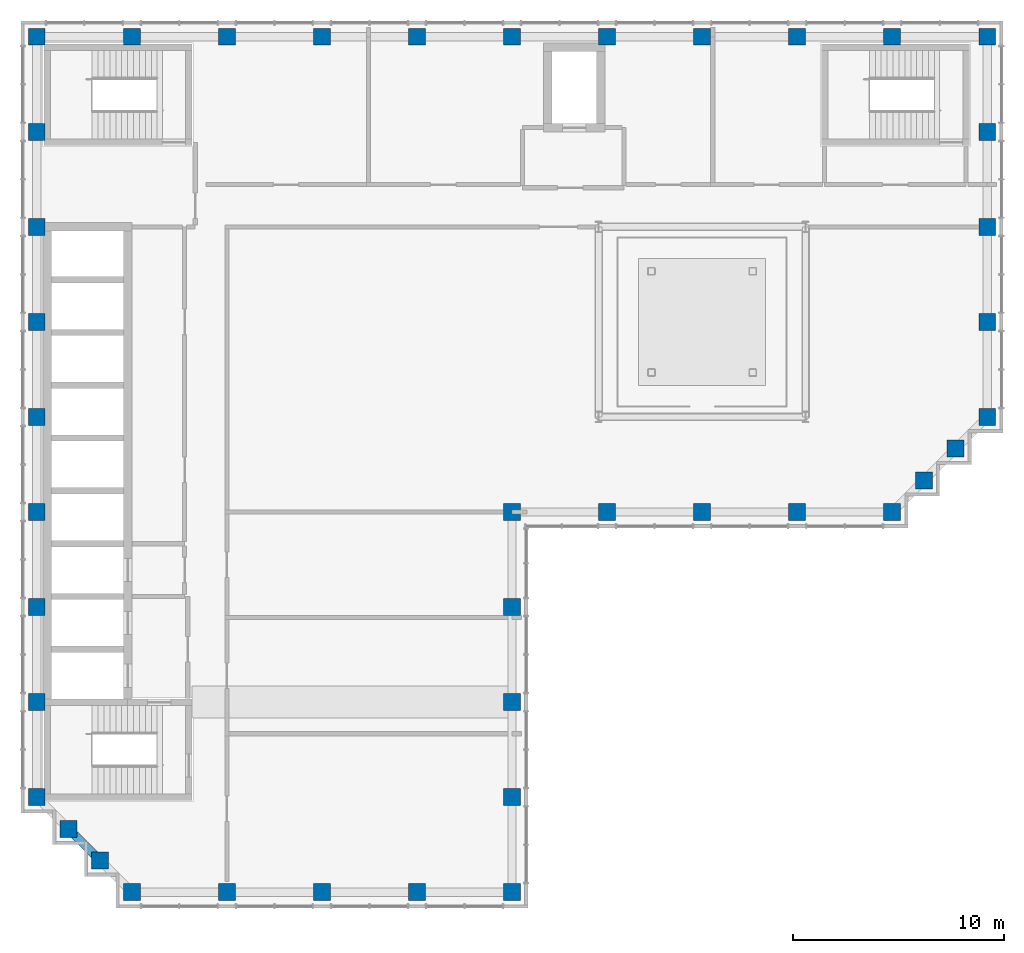
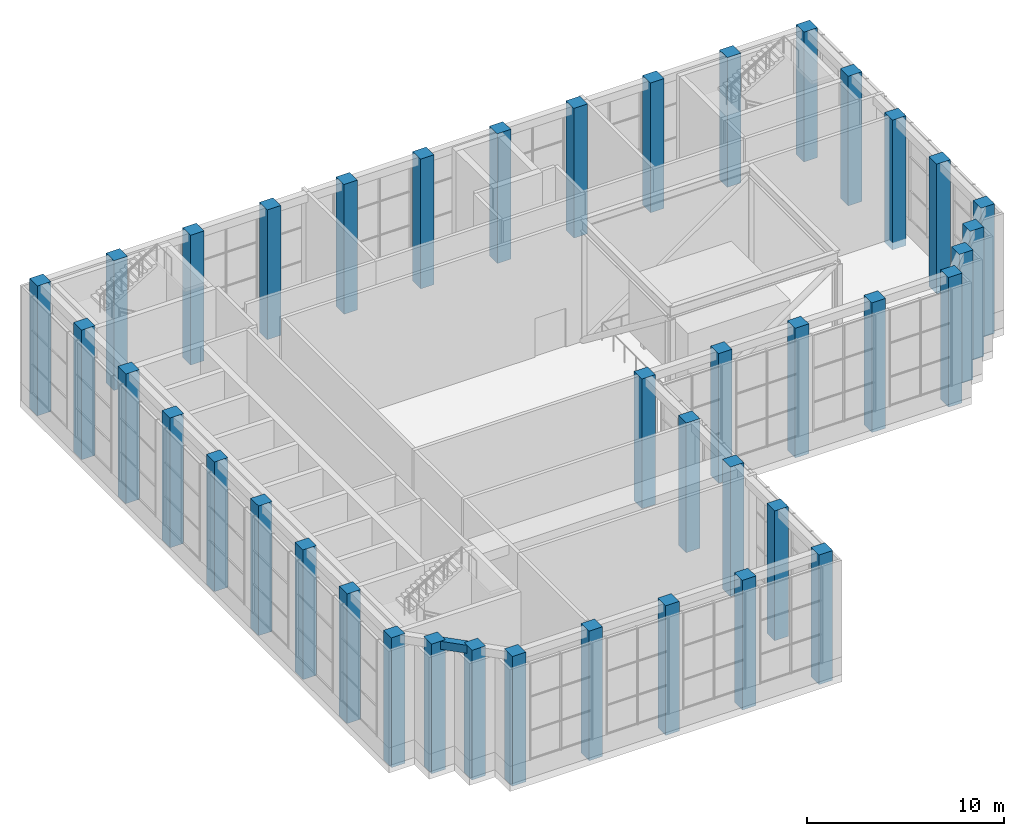
# One storey, part 1 of 17: 40 columns, 1 beam.
"""IFC4 building model written with IfcOpenShell, lengths in metres."""

from ifc_helpers import new_model, si_unit, direction, frame, origin, origin_2d, place, context, subcontext, project, spatial, rectangle, extrude, material, material_profile, profile_set, type_object, element, save


model = new_model("IFC4")

# Units and contexts
model_context = context("Model", 3, precision=1e-05, world=origin(), true_north=direction((0.0, 1.0)))
body_context = subcontext(model_context, "Body", "Model", "MODEL_VIEW")
ifc_project = project(units=[si_unit("LENGTHUNIT", "METRE"), si_unit("AREAUNIT", "SQUARE_METRE"), si_unit("VOLUMEUNIT", "CUBIC_METRE"), si_unit("PLANEANGLEUNIT", "RADIAN"), si_unit("MASSUNIT", "GRAM", prefix="KILO")], contexts=[model_context])

# Site, building, storey
site_placement = place(None, origin())
site = spatial("IfcSite", under=ifc_project, at=site_placement, CompositionType="ELEMENT")
building_placement = place(site_placement, origin())
building = spatial("IfcBuilding", under=site, at=building_placement, Name="Firuza Court", CompositionType="ELEMENT")
storey_placement = place(building_placement, frame((0.0, 0.0, 258.199951171875)))
storey = spatial("IfcBuildingStorey", under=building, at=storey_placement, Name="L67", CompositionType="ELEMENT", Elevation=258.199951171875)

# Columns
ifc_material_1 = material(Name="Concrete C50/60", Category="concrete")
ifc_material_profile_1 = material_profile(ifc_material_1, rectangle(XDim=0.800048828125, YDim=0.800048828125, at=origin_2d()), Name="RC 800x800")
ifc_profile_set_1 = profile_set([ifc_material_profile_1], Name="Concrete C50/60")
column_type = type_object("IfcColumnType", Name="Tube column RC 800x800 C50/60", PredefinedType="COLUMN", material=ifc_profile_set_1)
for number, where, z_axis, x_axis, name in (
    (1, (4.5, 18.0, -0.449951171875), (0.0, 0.0, 1.0), (1.0, 0.0, 0.0), "Column C-2H L67"),
    (2, (9.0, 18.0, -0.449951171875), (0.0, 0.0, 1.0), (1.0, 0.0, 0.0), "Column C-3H L67"),
    (3, (13.5, 18.0, -0.449951171875), (0.0, 0.0, 1.0), (1.0, 0.0, 0.0), "Column C-4H L67"),
    (4, (18.0, 18.0, -0.449951171875), (0.0, 0.0, 1.0), (1.0, 0.0, 0.0), "Column C-5H L67"),
    (5, (22.5, 18.0, -0.449951171875), (0.0, 0.0, 1.0), (1.0, 0.0, 0.0), "Column C-6H L67"),
    (6, (3.0, 19.5, -0.449951171875), (0.0, 0.0, 1.0), (1.0, 0.0, 0.0), "Column C-SA1 L67"),
    (7, (1.5, 21.0, -0.449951171875), (0.0, 0.0, 1.0), (1.0, 0.0, 0.0), "Column C-SA2 L67"),
    (8, (0.0, 22.5, -0.449951171875), (0.0, 0.0, 1.0), (1.0, 0.0, 0.0), "Column C-1J L67"),
    (9, (22.5, 22.5, -0.449951171875), (0.0, 0.0, 1.0), (1.0, 0.0, 0.0), "Column C-6J L67"),
    (10, (0.0, 27.0, -0.449951171875), (0.0, 0.0, 1.0), (1.0, 0.0, 0.0), "Column C-1K L67"),
    (11, (22.5, 27.0, -0.449951171875), (0.0, 0.0, 1.0), (1.0, 0.0, 0.0), "Column C-6K L67"),
    (12, (0.0, 31.5, -0.449951171875), (0.0, 0.0, 1.0), (1.0, 0.0, 0.0), "Column C-1L L67"),
    (13, (22.5, 31.5, -0.449951171875), (0.0, 0.0, 1.0), (1.0, 0.0, 0.0), "Column C-6L L67"),
    (14, (0.0, 36.0, -0.449951171875), (0.0, 0.0, 1.0), (1.0, 0.0, 0.0), "Column C-1M L67"),
    (15, (22.5, 36.0, -0.449951171875), (0.0, 0.0, 1.0), (1.0, 0.0, 0.0), "Column C-6M L67"),
    (16, (27.0, 36.0, -0.449951171875), (0.0, 0.0, 1.0), (1.0, 0.0, 0.0), "Column C-7M L67"),
    (17, (31.5, 36.0, -0.449951171875), (0.0, 0.0, 1.0), (1.0, 0.0, 0.0), "Column C-8M L67"),
    (18, (36.0, 36.0, -0.449951171875), (0.0, 0.0, 1.0), (1.0, 0.0, 0.0), "Column C-9M L67"),
    (19, (40.5, 36.0, -0.449951171875), (0.0, 0.0, 1.0), (1.0, 0.0, 0.0), "Column C-10M L67"),
    (20, (42.0, 37.5, -0.449951171875), (0.0, 0.0, 1.0), (1.0, 0.0, 0.0), "Column C-SA3 L67"),
    (21, (43.5, 39.0, -0.449951171875), (0.0, 0.0, 1.0), (1.0, 0.0, 0.0), "Column C-SA4 L67"),
    (22, (0.0, 40.5, -0.449951171875), (0.0, 0.0, 1.0), (1.0, 0.0, 0.0), "Column C-1N L67"),
    (23, (45.0, 40.5, -0.449951171875), (0.0, 0.0, 1.0), (1.0, 0.0, 0.0), "Column C-11N L67"),
    (24, (0.0, 45.0, -0.449951171875), (0.0, 0.0, 1.0), (1.0, 0.0, 0.0), "Column C-1P L67"),
    (25, (45.0, 45.0, -0.449951171875), (0.0, 0.0, 1.0), (1.0, 0.0, 0.0), "Column C-11P L67"),
    (26, (0.0, 49.5, -0.449951171875), (0.0, 0.0, 1.0), (1.0, 0.0, 0.0), "Column C-1Q L67"),
    (27, (45.0, 49.5, -0.449951171875), (0.0, 0.0, 1.0), (1.0, 0.0, 0.0), "Column C-11Q L67"),
    (28, (0.0, 54.0, -0.449951171875), (0.0, 0.0, 1.0), (1.0, 0.0, 0.0), "Column C-1R L67"),
    (29, (45.0, 54.0, -0.449951171875), (0.0, 0.0, 1.0), (1.0, 0.0, 0.0), "Column C-11R L67"),
    (30, (0.0, 58.5, -0.449951171875), (0.0, 0.0, 1.0), (1.0, 0.0, 0.0), "Column C-1S L67"),
    (31, (4.5, 58.5, -0.449951171875), (0.0, 0.0, 1.0), (1.0, 0.0, 0.0), "Column C-2S L67"),
    (32, (9.0, 58.5, -0.449951171875), (0.0, 0.0, 1.0), (1.0, 0.0, 0.0), "Column C-3S L67"),
    (33, (13.5, 58.5, -0.449951171875), (0.0, 0.0, 1.0), (1.0, 0.0, 0.0), "Column C-4S L67"),
    (34, (18.0, 58.5, -0.449951171875), (0.0, 0.0, 1.0), (1.0, 0.0, 0.0), "Column C-5S L67"),
    (35, (22.5, 58.5, -0.449951171875), (0.0, 0.0, 1.0), (1.0, 0.0, 0.0), "Column C-6S L67"),
    (36, (27.0, 58.5, -0.449951171875), (0.0, 0.0, 1.0), (1.0, 0.0, 0.0), "Column C-7S L67"),
    (37, (31.5, 58.5, -0.449951171875), (0.0, 0.0, 1.0), (1.0, 0.0, 0.0), "Column C-8S L67"),
    (38, (36.0, 58.5, -0.449951171875), (0.0, 0.0, 1.0), (1.0, 0.0, 0.0), "Column C-9S L67"),
    (39, (40.5, 58.5, -0.449951171875), (0.0, 0.0, 1.0), (1.0, 0.0, 0.0), "Column C-10S L67"),
    (40, (45.0, 58.5, -0.449951171875), (0.0, 0.0, 1.0), (1.0, 0.0, 0.0), "Column C-11S L67"),
):
    element("IfcColumn", number, at=place(storey_placement, frame(where, z_axis=z_axis, x_axis=x_axis)), inside=storey, type_object=column_type, Name=name, PredefinedType="COLUMN", context=body_context, shape_type="SweptSolid", body=[
        extrude(rectangle(XDim=0.800048828125, YDim=0.800048828125, at=origin_2d()), origin(), (0.0, 0.0, 1.0), 8.050048828125),
    ])

# Beam
ifc_material_2 = material(Name="Concrete C40/50", Category="concrete")
ifc_material_profile_2 = material_profile(ifc_material_2, rectangle(XDim=0.39990234375, YDim=0.5, at=origin_2d()), Name="RC 400x500")
ifc_profile_set_2 = profile_set([ifc_material_profile_2], Name="Concrete C40/50")
beam_type = type_object("IfcBeamType", Name="Spandrel beam RC 400x500 C40/50", PredefinedType="BEAM", material=ifc_profile_set_2)
beam_placement = place(storey_placement, frame((1.5, 21.0, 7.35009765625), z_axis=(0.707106781187, -0.707106781187, 0.0), x_axis=(0.707106781187, 0.707106781187, 0.0)))
element("IfcBeam", 41, at=beam_placement, inside=storey, type_object=beam_type, Name="Spandrel beam SP18 level L68", PredefinedType="BEAM", context=body_context, shape_type="SweptSolid", body=[
    extrude(rectangle(XDim=0.39990234375, YDim=0.5, at=origin_2d()), origin(), (0.0, 0.0, 1.0), 2.121337890625),
])

save(model, "model.ifc")
